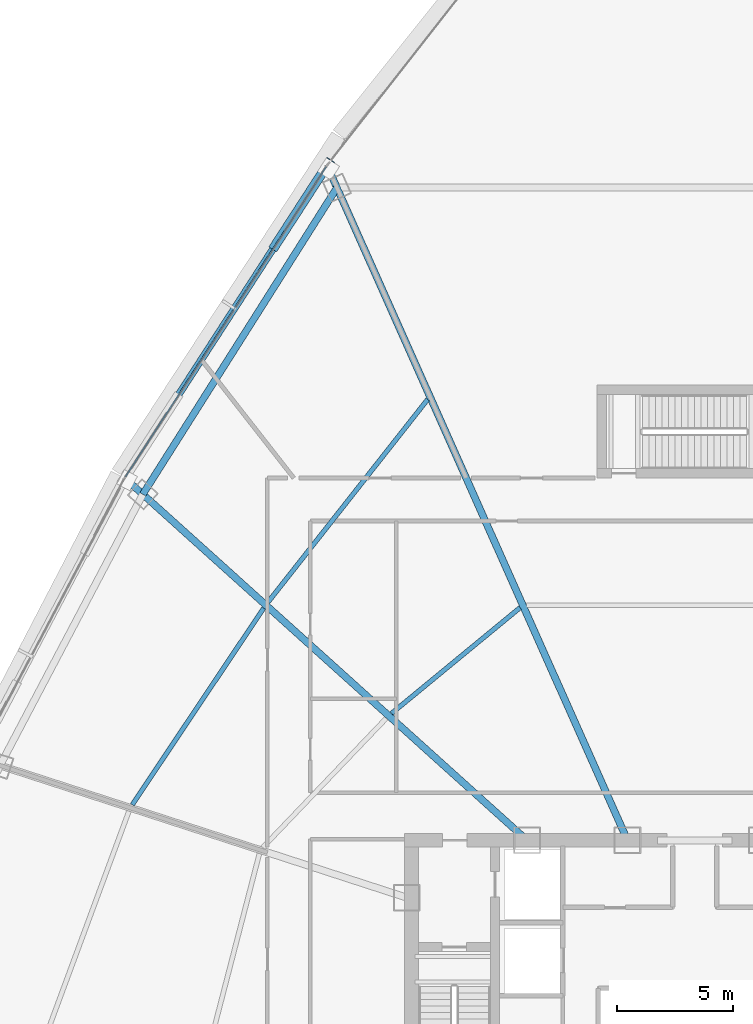
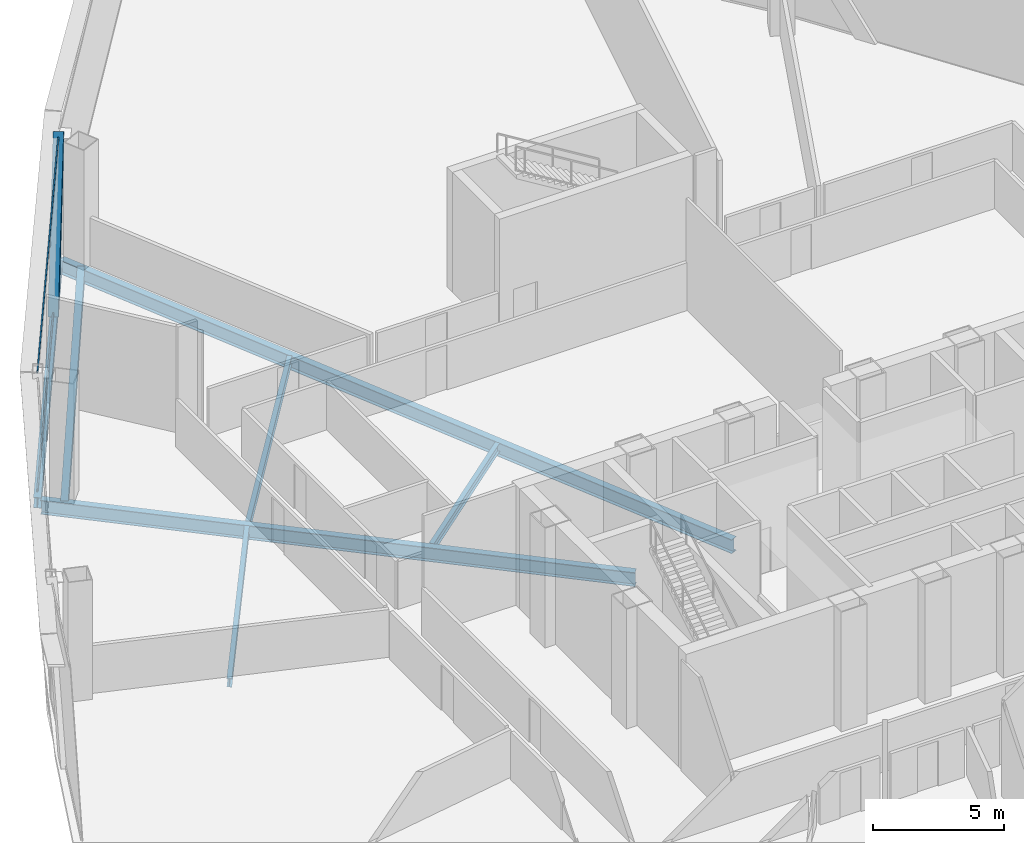
# One storey, part 17 of 40: 7 beams, 3 members, 1 element without a shape of its own.
"""IFC4 building model written with IfcOpenShell, lengths in metres."""

from ifc_helpers import new_model, si_unit, direction, frame, origin, origin_2d, place, context, subcontext, project, spatial, hollow_rectangle, i_section, extrude, source, transform, mapped, material, layer, layer_set, material_profile, profile_set, type_object, element, aggregate, save


model = new_model("IFC4")

# Units and contexts
model_context = context("Model", 3, precision=1e-05, world=origin(), true_north=direction((0.0, 1.0)))
body_context = subcontext(model_context, "Body", "Model", "MODEL_VIEW")
ifc_project = project(units=[si_unit("LENGTHUNIT", "METRE"), si_unit("AREAUNIT", "SQUARE_METRE"), si_unit("VOLUMEUNIT", "CUBIC_METRE"), si_unit("PLANEANGLEUNIT", "RADIAN"), si_unit("MASSUNIT", "GRAM", prefix="KILO"), si_unit("THERMODYNAMICTEMPERATUREUNIT", "KELVIN"), si_unit("POWERUNIT", "WATT")], contexts=[model_context])

# Site, building, storey
site_placement = place(None, origin())
site = spatial("IfcSite", under=ifc_project, at=site_placement, CompositionType="ELEMENT")
building_placement = place(site_placement, origin())
building = spatial("IfcBuilding", under=site, at=building_placement, Name="Yunzhuo Pagoda Commons", CompositionType="ELEMENT")
storey_placement = place(building_placement, frame((0.0, 0.0, 170.31005859375)))
storey = spatial("IfcBuildingStorey", under=building, at=storey_placement, Name="L43", CompositionType="ELEMENT", Elevation=170.31005859375)

# Beams
ifc_material_1 = material(Name="Structural steel Q355B", Category="steel")
ifc_material_profile_1 = material_profile(ifc_material_1, i_section(OverallWidth=0.199951171875, OverallDepth=0.39990234375, WebThickness=0.008056640625, FlangeThickness=0.012939453125, at=origin_2d()), Name="Structural steel Q355B")
ifc_profile_set_1 = profile_set([ifc_material_profile_1], Name="Structural steel Q355B")
beam_type_1 = type_object("IfcBeamType", Name="B-JS1 Joist HN 400x200x8x13", PredefinedType="JOIST", material=ifc_profile_set_1)
shared_shape_1 = source(origin(), body_context, "Body", "SweptSolid", [
    extrude(i_section(OverallWidth=0.199951171875, OverallDepth=0.39990234375, WebThickness=0.008056640625, FlangeThickness=0.012939453125, at=origin_2d()), origin(), (0.0, 0.0, 1.0), 10.186767578125),
])
beam_1_placement = place(storey_placement, frame((29.440673828125, 50.19921875, -0.4599609375), z_axis=(-0.555872145938, -0.831267801235, 0.0), x_axis=(0.831267801235, -0.555872145938, 0.0)))
element("IfcBeam", 1, at=beam_1_placement, inside=storey, type_object=beam_type_1, Name="L43 composite ring joist 2.10", PredefinedType="JOIST", context=body_context, shape_type="MappedRepresentation", body=[
    mapped(shared_shape_1, transform((0.0, 0.0, 0.0), scale=1.0)),
])
ifc_material_profile_2 = material_profile(ifc_material_1, i_section(OverallWidth=0.300048828125, OverallDepth=0.64990234375, WebThickness=0.012939453125, FlangeThickness=0.02197265625, at=origin_2d()), Name="Structural steel Q355B")
ifc_profile_set_2 = profile_set([ifc_material_profile_2], Name="Structural steel Q355B")
beam_type_2 = type_object("IfcBeamType", Name="B-RG2 Beam HN 650x300x13x22", PredefinedType="BEAM", material=ifc_profile_set_2)
shared_shape_2 = source(origin(), body_context, "Body", "SweptSolid", [
    extrude(i_section(OverallWidth=0.300048828125, OverallDepth=0.64990234375, WebThickness=0.012939453125, FlangeThickness=0.02197265625, at=origin_2d()), origin(), (0.0, 0.0, 1.0), 15.627685546875),
])
beam_2_placement = place(storey_placement, frame((32.593994140625, 68.302734375, -0.5849609375), z_axis=(-0.534952471728, -0.844882153316, 0.0), x_axis=(0.844882153316, -0.534952471728, 0.0)))
element("IfcBeam", 2, at=beam_2_placement, inside=storey, type_object=beam_type_2, Name="L43 column-ring beam 9", PredefinedType="BEAM", context=body_context, shape_type="MappedRepresentation", body=[
    mapped(shared_shape_2, transform((0.0, 0.0, 0.0), scale=1.0)),
])
shared_shape_3 = source(origin(), body_context, "Body", "SweptSolid", [
    extrude(i_section(OverallWidth=0.199951171875, OverallDepth=0.39990234375, WebThickness=0.008056640625, FlangeThickness=0.012939453125, at=origin_2d()), origin(), (0.0, 0.0, 1.0), 7.163818359375),
])
beam_3_placement = place(storey_placement, frame((40.47900390625, 50.21630859375, -0.4599609375), z_axis=(-0.772234119563, -0.635338071095, 0.0), x_axis=(0.635338071095, -0.772234119563, 0.0)))
element("IfcBeam", 3, at=beam_3_placement, inside=storey, type_object=beam_type_1, Name="L43 composite ring joist 1.9", PredefinedType="JOIST", context=body_context, shape_type="MappedRepresentation", body=[
    mapped(shared_shape_3, transform((0.0, 0.0, 0.0), scale=1.0)),
])
shared_shape_4 = source(origin(), body_context, "Body", "SweptSolid", [
    extrude(i_section(OverallWidth=0.199951171875, OverallDepth=0.39990234375, WebThickness=0.008056640625, FlangeThickness=0.012939453125, at=origin_2d()), origin(), (0.0, 0.0, 1.0), 11.109375),
])
beam_4_placement = place(storey_placement, frame((36.49951171875, 59.18505859375, -0.4599609375), z_axis=(-0.618600596935, -0.785705607382, 0.0), x_axis=(0.785705607382, -0.618600596935, 0.0)))
element("IfcBeam", 4, at=beam_4_placement, inside=storey, type_object=beam_type_1, Name="L43 composite ring joist 2.9", PredefinedType="JOIST", context=body_context, shape_type="MappedRepresentation", body=[
    mapped(shared_shape_4, transform((0.0, 0.0, 0.0), scale=1.0)),
])
shared_shape_5 = source(origin(), body_context, "Body", "SweptSolid", [
    extrude(i_section(OverallWidth=0.300048828125, OverallDepth=0.64990234375, WebThickness=0.012939453125, FlangeThickness=0.02197265625, at=origin_2d()), origin(), (0.0, 0.0, 1.0), 23.161376953125),
])
beam_5_placement = place(storey_placement, frame((23.56884765625, 55.697998046875, -0.5849609375), z_axis=(0.743141604671, -0.669134183409, 0.0), x_axis=(0.669134183409, 0.743141604671, 0.0)))
element("IfcBeam", 5, at=beam_5_placement, inside=storey, type_object=beam_type_2, Name="L43 radial floor girder F3C2", PredefinedType="BEAM", context=body_context, shape_type="MappedRepresentation", body=[
    mapped(shared_shape_5, transform((0.0, 0.0, 0.0), scale=1.0)),
])
shared_shape_6 = source(origin(), body_context, "Body", "SweptSolid", [
    extrude(i_section(OverallWidth=0.300048828125, OverallDepth=0.64990234375, WebThickness=0.012939453125, FlangeThickness=0.02197265625, at=origin_2d()), origin(), (0.0, 0.0, 1.0), 31.6572265625),
])
beam_6_placement = place(storey_placement, frame((32.229736328125, 69.120361328125, -0.5849609375), z_axis=(0.406737289237, -0.913545169953, 0.0), x_axis=(0.913545169953, 0.406737289237, 0.0)))
element("IfcBeam", 6, at=beam_6_placement, inside=storey, type_object=beam_type_2, Name="L43 radial floor girder F3C1", PredefinedType="BEAM", context=body_context, shape_type="MappedRepresentation", body=[
    mapped(shared_shape_6, transform((0.0, 0.0, 0.0), scale=1.0)),
])
ifc_material_profile_3 = material_profile(ifc_material_1, i_section(OverallWidth=0.300048828125, OverallDepth=0.488037109375, WebThickness=0.010986328125, FlangeThickness=0.01806640625, at=origin_2d()), Name="Structural steel Q355B")
ifc_profile_set_3 = profile_set([ifc_material_profile_3], Name="Structural steel Q355B")
beam_type_3 = type_object("IfcBeamType", Name="B-SP1 Beam HM 488x300x11x18", PredefinedType="BEAM", material=ifc_profile_set_3)
shared_shape_7 = source(origin(), body_context, "Body", "SweptSolid", [
    extrude(i_section(OverallWidth=0.300048828125, OverallDepth=0.488037109375, WebThickness=0.010986328125, FlangeThickness=0.01806640625, at=origin_2d()), origin(), (0.0, 0.0, 1.0), 16.0341796875),
])
beam_7_placement = place(storey_placement, frame((32.166748046875, 69.261962890625, -0.504150390625), z_axis=(-0.543409101482, -0.83946801513, 0.0), x_axis=(0.83946801513, -0.543409101482, 0.0)))
element("IfcBeam", 7, at=beam_7_placement, inside=storey, type_object=beam_type_3, Name="L43 facade edge spandrel beam F3.1", PredefinedType="BEAM", context=body_context, shape_type="MappedRepresentation", body=[
    mapped(shared_shape_7, transform((0.0, 0.0, 0.0), scale=1.0)),
])

# Member
ifc_material_profile_4 = material_profile(ifc_material_1, hollow_rectangle(XDim=0.39990234375, YDim=0.719970703125, WallThickness=0.02392578125, at=origin_2d()), Name="Structural steel Q355B")
ifc_profile_set_4 = profile_set([ifc_material_profile_4], Name="Structural steel Q355B")
member_type_1 = type_object("IfcMemberType", Name="M-DL2 Brace BOX 720x400x24", PredefinedType="BRACE", material=ifc_profile_set_4)
shared_shape_8 = source(origin(), body_context, "Body", "SweptSolid", [
    extrude(hollow_rectangle(XDim=0.39990234375, YDim=0.719970703125, WallThickness=0.02392578125, at=origin_2d()), origin(), (0.0, 0.0, 1.0), 7.074951171875),
])
member_1_placement = place(storey_placement, frame((29.988525390625, 65.89697265625, -0.260009765625), z_axis=(0.30787860019, 0.475621020669, 0.824011779189), x_axis=(-0.839470464787, 0.54340531719, 0.0)))
element("IfcMember", 8, at=member_1_placement, inside=storey, type_object=member_type_1, Name="L43 facade diamond brace F3.1L", PredefinedType="BRACE", context=body_context, shape_type="MappedRepresentation", body=[
    mapped(shared_shape_8, transform((0.0, 0.0, 0.0), scale=1.0)),
])

# Curtain wall, members
ifc_material_2 = material(Name="Anodized aluminium 6063-T6", Category="aluminium")
ifc_layer = layer(ifc_material_2, 0.14990234375)
ifc_layer_set = layer_set([ifc_layer], Name="Anodized aluminium 6063-T6")
curtain_wall_type = type_object("IfcCurtainWallType", Name="CW-MID Mid-Zone Ribbon Curtain Wall", PredefinedType="NOTDEFINED", material=ifc_layer_set)
curtain_wall_placement = place(storey_placement, origin())
curtain_wall = element("IfcCurtainWall", 9, at=curtain_wall_placement, inside=storey, type_object=curtain_wall_type, Name="L43 curtain wall CW-L43-F3B2", PredefinedType="NOTDEFINED")
ifc_material_profile_5 = material_profile(ifc_material_2, hollow_rectangle(XDim=0.054931640625, YDim=0.1298828125, WallThickness=0.00341796875, at=origin_2d()), Name="Anodized aluminium 6063-T6")
ifc_profile_set_5 = profile_set([ifc_material_profile_5], Name="Anodized aluminium 6063-T6")
member_type_2 = type_object("IfcMemberType", Name="CW-MID-T Transom RHS 130x55x3.5", PredefinedType="USERDEFINED", material=ifc_profile_set_5)
shared_shape_9 = source(origin(), body_context, "Body", "SweptSolid", [
    extrude(hollow_rectangle(XDim=0.054931640625, YDim=0.1298828125, WallThickness=0.00341796875, at=origin_2d()), origin(), (0.0, 0.0, 1.0), 15.914306640625),
])
member_2_placement = place(storey_placement, frame((32.13427734375, 69.21142578125, 0.02734375), z_axis=(-0.543423646974, -0.839458599283, 0.0), x_axis=(0.839458599283, -0.543423646974, 0.0)))
member_2 = element("IfcMember", 10, at=member_2_placement, type_object=member_type_2, Name="CW transom 1.1", ObjectType="TRANSOM", PredefinedType="USERDEFINED", context=body_context, shape_type="MappedRepresentation", body=[
    mapped(shared_shape_9, transform((0.0, 0.0, 0.0), scale=1.0)),
])
member_3_placement = place(storey_placement, frame((32.13427734375, 69.21142578125, 5.54248046875), z_axis=(-0.543423646974, -0.839458599283, 0.0), x_axis=(0.839458599283, -0.543423646974, 0.0)))
member_3 = element("IfcMember", 11, at=member_3_placement, type_object=member_type_2, Name="CW transom 1.2", ObjectType="TRANSOM", PredefinedType="USERDEFINED", context=body_context, shape_type="MappedRepresentation", body=[
    mapped(shared_shape_9, transform((0.0, 0.0, 0.0), scale=1.0)),
])
aggregate(curtain_wall, [member_2, member_3])

save(model, "model.ifc")
